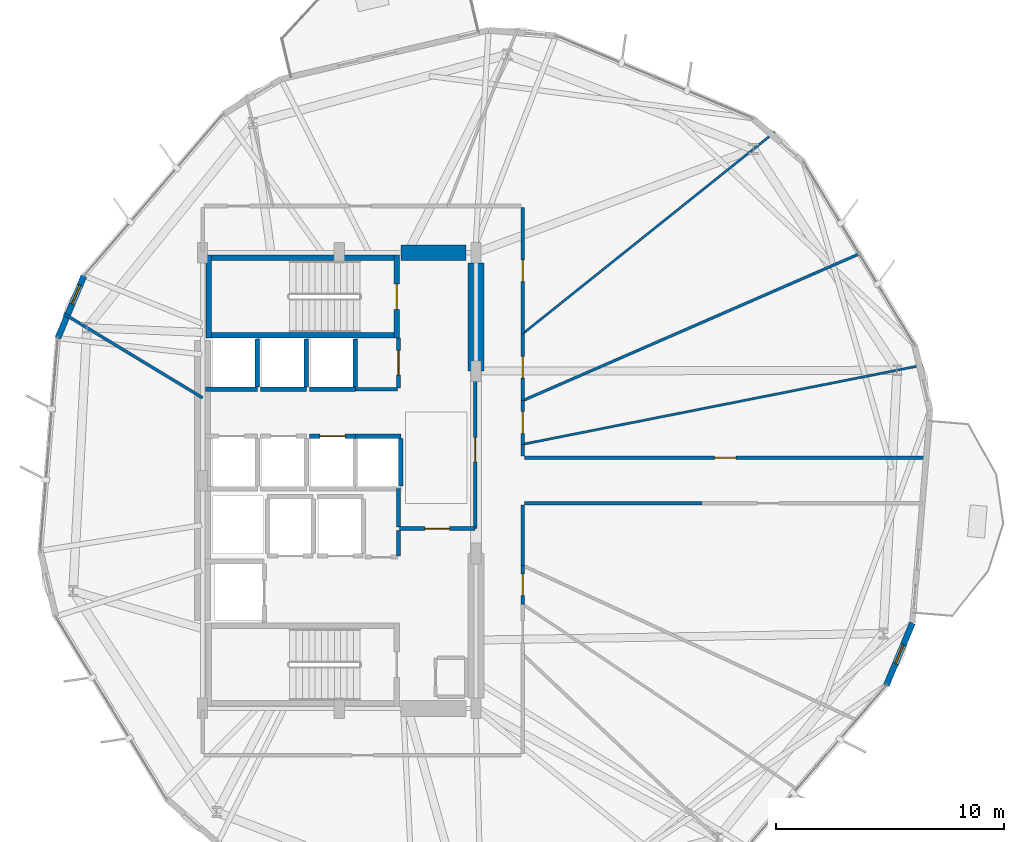
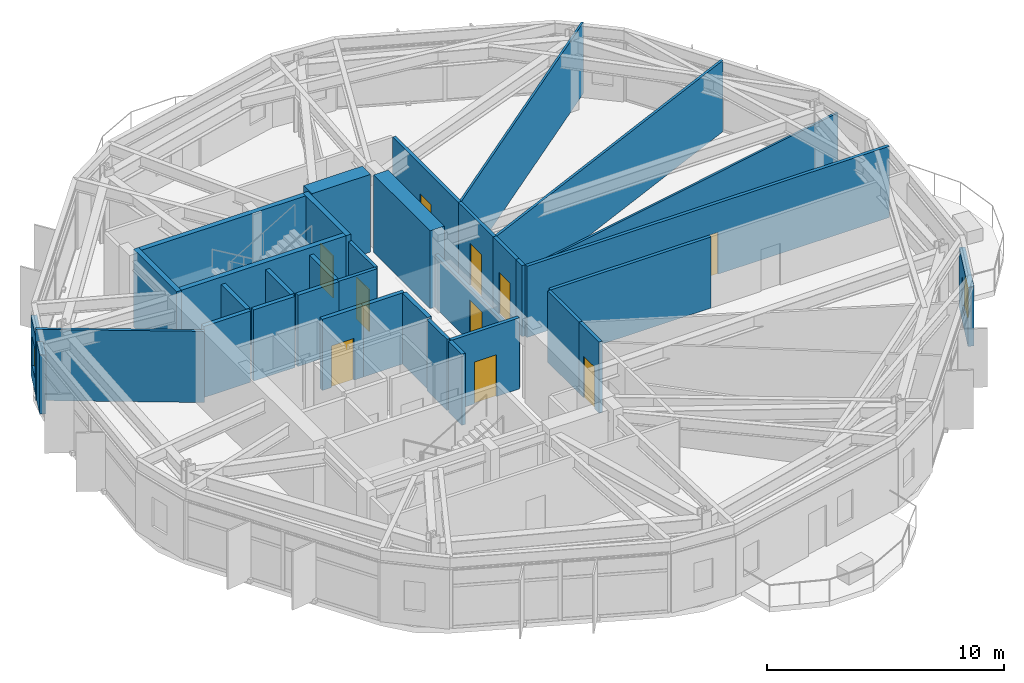
# One storey, part 17 of 21: 35 walls, 10 doors, 2 windows, 12 openings.
"""IFC4 building model written with IfcOpenShell, lengths in metres."""

from ifc_helpers import new_model, si_unit, direction, frame, frame_2d, origin, place, context, subcontext, project, spatial, rectangle, extrude, material, layer, layer_set, type_object, element, fill, save


model = new_model("IFC4")

# Units and contexts
model_context = context("Model", 3, precision=1e-05, world=origin(), true_north=direction((0.0, 1.0)))
body_context = subcontext(model_context, "Body", "Model", "MODEL_VIEW")
ifc_project = project(units=[si_unit("LENGTHUNIT", "METRE"), si_unit("AREAUNIT", "SQUARE_METRE"), si_unit("VOLUMEUNIT", "CUBIC_METRE"), si_unit("PLANEANGLEUNIT", "RADIAN"), si_unit("MASSUNIT", "GRAM", prefix="KILO")], contexts=[model_context])

# Site, building, storey
site_placement = place(None, origin())
site = spatial("IfcSite", under=ifc_project, at=site_placement, CompositionType="ELEMENT")
building_placement = place(site_placement, origin())
building = spatial("IfcBuilding", under=site, at=building_placement, Name="Soratama Intermodal Tower", CompositionType="ELEMENT")
storey_placement = place(building_placement, frame((0.0, 0.0, 78.60009765625)))
storey = spatial("IfcBuildingStorey", under=building, at=storey_placement, Name="L18", CompositionType="ELEMENT", Elevation=78.60009765625)

# Wall, opening, window
ifc_material_1 = material(Name="Concrete f'c 42 MPa", Category="concrete")
ifc_layer_1 = layer(ifc_material_1, 0.27001953125)
ifc_layer_set_1 = layer_set([ifc_layer_1], Name="Concrete f'c 42 MPa")
wall_type_1 = type_object("IfcWallType", Name="EW-CRN-270", PredefinedType="SOLIDWALL", material=ifc_layer_set_1)
wall_1_placement = place(storey_placement, frame((27.393310546875, 33.98779296875, 0.0), z_axis=(0.0, 0.0, 1.0), x_axis=(-0.386537026706, -0.922273889354, 0.0)))
wall_1 = element("IfcWall", 1, at=wall_1_placement, inside=storey, type_object=wall_type_1, Name="L18 Corner Closure Wall 04", PredefinedType="SOLIDWALL", context=body_context, shape_type="SweptSolid", body=[
    extrude(rectangle(XDim=2.966552734375, YDim=0.27001953125, at=frame_2d((1.4833984375, 0.0))), origin(), (0.0, 0.0, 1.0), 3.038818359375),
])
opening_1_placement = place(wall_1_placement, frame((0.449951171875, 0.0, 0.75)))
opening_1 = element("IfcOpeningElement", 2, at=opening_1_placement, cuts=wall_1, Name="Opening WN-6", PredefinedType="OPENING", context=body_context, shape_type="SweptSolid", body=[
    extrude(rectangle(XDim=0.89990234375, YDim=1.5, at=frame_2d((0.449951171875, 0.75))), frame((0.0, 0.14501953125, 0.0), z_axis=(0.0, -1.0, 0.0), x_axis=(1.0, 0.0, 0.0)), (0.0, 0.0, 1.0), 0.2900390625),
])
ifc_material_2 = material(Name="Double-glazed aluminium window", Category="aluminium")
window_type = type_object("IfcWindowType", Name="WN-FAC-900", PartitioningType="SINGLE_PANEL", PredefinedType="WINDOW", material=ifc_material_2)
window_1_placement = place(opening_1_placement, origin())
window_1 = element("IfcWindow", 3, at=window_1_placement, inside=storey, type_object=window_type, Name="L18 Corner Window 04", OverallHeight=1.5, OverallWidth=0.89990234375, PartitioningType="SINGLE_PANEL", PredefinedType="WINDOW", context=body_context, shape_type="SweptSolid", body=[
    extrude(rectangle(XDim=0.89990234375, YDim=1.5, at=frame_2d((0.449951171875, 0.75))), frame((0.0, 0.030029296875, 0.0), z_axis=(0.0, -1.0, 0.0), x_axis=(1.0, 0.0, 0.0)), (0.0, 0.0, 1.0), 0.06005859375),
])
fill(opening_1, window_1)

wall_2_placement = place(storey_placement, frame((62.606689453125, 16.01220703125, 0.0), z_axis=(0.0, 0.0, 1.0), x_axis=(0.386537026706, 0.922273889354, 0.0)))
wall_2 = element("IfcWall", 4, at=wall_2_placement, inside=storey, type_object=wall_type_1, Name="L18 Corner Closure Wall 09", PredefinedType="SOLIDWALL", context=body_context, shape_type="SweptSolid", body=[
    extrude(rectangle(XDim=2.966552734375, YDim=0.27001953125, at=frame_2d((1.4833984375, 0.0))), origin(), (0.0, 0.0, 1.0), 3.038818359375),
])
opening_2_placement = place(wall_2_placement, frame((1.033203125, 0.0, 0.75)))
opening_2 = element("IfcOpeningElement", 5, at=opening_2_placement, cuts=wall_2, Name="Opening WN-6", PredefinedType="OPENING", context=body_context, shape_type="SweptSolid", body=[
    extrude(rectangle(XDim=0.89990234375, YDim=1.5, at=frame_2d((0.449951171875, 0.75))), frame((0.0, 0.14501953125, 0.0), z_axis=(0.0, -1.0, 0.0), x_axis=(1.0, 0.0, 0.0)), (0.0, 0.0, 1.0), 0.2900390625),
])
window_2_placement = place(opening_2_placement, origin())
window_2 = element("IfcWindow", 6, at=window_2_placement, inside=storey, type_object=window_type, Name="L18 Corner Window 09", OverallHeight=1.5, OverallWidth=0.89990234375, PartitioningType="SINGLE_PANEL", PredefinedType="WINDOW", context=body_context, shape_type="SweptSolid", body=[
    extrude(rectangle(XDim=0.89990234375, YDim=1.5, at=frame_2d((0.449951171875, 0.75))), frame((0.0, 0.030029296875, 0.0), z_axis=(0.0, -1.0, 0.0), x_axis=(1.0, 0.0, 0.0)), (0.0, 0.0, 1.0), 0.06005859375),
])
fill(opening_2, window_2)

# Wall, opening, door
ifc_material_3 = material(Name="Fire-rated gypsum stud partition", Category="concrete")
ifc_layer_2 = layer(ifc_material_3, 0.159912109375)
ifc_layer_set_2 = layer_set([ifc_layer_2], Name="Fire-rated gypsum stud partition")
wall_type_2 = type_object("IfcWallType", Name="IW-PART-R160", PredefinedType="PARTITIONING", material=ifc_layer_set_2)
wall_3_placement = place(storey_placement, frame((46.719970703125, 26.0, 0.0), z_axis=(0.0, 0.0, 1.0), x_axis=(1.0, 0.0, 0.0)))
wall_3 = element("IfcWall", 7, at=wall_3_placement, inside=storey, type_object=wall_type_2, Name="L18 Partition W-L18-TP002", PredefinedType="PARTITIONING", context=body_context, shape_type="SweptSolid", body=[
    extrude(rectangle(XDim=17.635009765625, YDim=0.159912109375, at=frame_2d((8.8173828125, 0.0))), origin(), (0.0, 0.0, 1.0), 3.659912109375),
])
opening_3_placement = place(wall_3_placement, frame((8.343017578125, 0.0, 0.0)))
opening_3 = element("IfcOpeningElement", 8, at=opening_3_placement, cuts=wall_3, Name="Opening ID-3", PredefinedType="OPENING", context=body_context, shape_type="SweptSolid", body=[
    extrude(rectangle(XDim=0.949951171875, YDim=2.14990234375, at=frame_2d((0.47509765625, 1.074951171875))), frame((0.0, 0.08984375, 0.0), z_axis=(0.0, -1.0, 0.0), x_axis=(1.0, 0.0, 0.0)), (0.0, 0.0, 1.0), 0.179931640625),
])
ifc_material_4 = material(Name="Solid hardwood acoustic door", Category="wood")
door_type_1 = type_object("IfcDoorType", Name="DR-ROOM-950", OperationType="NOTDEFINED", PredefinedType="DOOR", material=ifc_material_4)
door_1_placement = place(opening_3_placement, origin())
door_1 = element("IfcDoor", 9, at=door_1_placement, inside=storey, type_object=door_type_1, Name="L18 Door D-L18-TP001", OperationType="SINGLE_SWING_RIGHT", OverallHeight=2.14990234375, OverallWidth=0.949951171875, PredefinedType="DOOR", context=body_context, shape_type="SweptSolid", body=[
    extrude(rectangle(XDim=0.949951171875, YDim=2.14990234375, at=frame_2d((0.47509765625, 1.074951171875))), frame((0.0, 0.02490234375, 0.0), z_axis=(0.0, -1.0, 0.0), x_axis=(1.0, 0.0, 0.0)), (0.0, 0.0, 1.0), 0.050048828125),
])
fill(opening_3, door_1)

# Wall
wall_4_placement = place(storey_placement, frame((54.51806640625, 24.0, 0.0), z_axis=(0.0, 0.0, 1.0), x_axis=(-1.0, 0.0, 0.0)))
element("IfcWall", 10, at=wall_4_placement, inside=storey, type_object=wall_type_2, Name="L18 Partition W-L18-TP011", PredefinedType="PARTITIONING", context=body_context, shape_type="SweptSolid", body=[
    extrude(rectangle(XDim=7.798095703125, YDim=0.159912109375, at=frame_2d((3.89892578125, 0.0))), origin(), (0.0, 0.0, 1.0), 3.659912109375),
])

# Wall, opening, door
wall_5_placement = place(storey_placement, frame((44.56005859375, 29.800048828125, 0.0), z_axis=(0.0, 0.0, 1.0), x_axis=(0.0, -1.0, 0.0)))
wall_5 = element("IfcWall", 11, at=wall_5_placement, inside=storey, type_object=wall_type_2, Name="L18 Partition W-L18-TP014", PredefinedType="PARTITIONING", context=body_context, shape_type="SweptSolid", body=[
    extrude(rectangle(XDim=6.91015625, YDim=0.159912109375, at=frame_2d((3.455078125, 0.0))), origin(), (0.0, 0.0, 1.0), 2.699951171875),
])
opening_4_placement = place(wall_5_placement, frame((2.9150390625, 0.0, 0.0)))
opening_4 = element("IfcOpeningElement", 12, at=opening_4_placement, cuts=wall_5, Name="Opening ID-1", PredefinedType="OPENING", context=body_context, shape_type="SweptSolid", body=[
    extrude(rectangle(XDim=1.080078125, YDim=2.14990234375, at=frame_2d((0.5400390625, 1.074951171875))), frame((0.0, 0.08984375, 0.0), z_axis=(0.0, -1.0, 0.0), x_axis=(1.0, 0.0, 0.0)), (0.0, 0.0, 1.0), 0.179931640625),
])
ifc_material_5 = material(Name="Solid hardwood acoustic door", Category="wood")
door_type_2 = type_object("IfcDoorType", Name="DR-LOB-FD60", OperationType="NOTDEFINED", PredefinedType="DOOR", material=ifc_material_5)
door_2_placement = place(opening_4_placement, origin())
door_2 = element("IfcDoor", 13, at=door_2_placement, inside=storey, type_object=door_type_2, Name="L18 Door D-L18-TP005", OperationType="SINGLE_SWING_RIGHT", OverallHeight=2.14990234375, OverallWidth=1.080078125, PredefinedType="DOOR", context=body_context, shape_type="SweptSolid", body=[
    extrude(rectangle(XDim=1.080078125, YDim=2.14990234375, at=frame_2d((0.5400390625, 1.074951171875))), frame((0.0, 0.02490234375, 0.0), z_axis=(0.0, -1.0, 0.0), x_axis=(1.0, 0.0, 0.0)), (0.0, 0.0, 1.0), 0.050048828125),
])
fill(opening_4, door_2)

wall_6_placement = place(storey_placement, frame((46.64990234375, 36.97998046875, 0.0), z_axis=(0.0, 0.0, 1.0), x_axis=(0.0, -1.0, 0.0)))
wall_6 = element("IfcWall", 14, at=wall_6_placement, inside=storey, type_object=wall_type_2, Name="L18 Partition W-L18-TP015", PredefinedType="PARTITIONING", context=body_context, shape_type="SweptSolid", body=[
    extrude(rectangle(XDim=5.5380859375, YDim=0.159912109375, at=frame_2d((2.76904296875, 0.0))), origin(), (0.0, 0.0, 1.0), 3.659912109375),
])
opening_5_placement = place(wall_6_placement, frame((2.2939453125, 0.0, 0.0)))
opening_5 = element("IfcOpeningElement", 15, at=opening_5_placement, cuts=wall_6, Name="Opening ID-3", PredefinedType="OPENING", context=body_context, shape_type="SweptSolid", body=[
    extrude(rectangle(XDim=0.949951171875, YDim=2.14990234375, at=frame_2d((0.47509765625, 1.074951171875))), frame((0.0, 0.08984375, 0.0), z_axis=(0.0, -1.0, 0.0), x_axis=(1.0, 0.0, 0.0)), (0.0, 0.0, 1.0), 0.179931640625),
])
door_3_placement = place(opening_5_placement, origin())
door_3 = element("IfcDoor", 16, at=door_3_placement, inside=storey, type_object=door_type_1, Name="L18 Door D-L18-TP006", OperationType="SINGLE_SWING_LEFT", OverallHeight=2.14990234375, OverallWidth=0.949951171875, PredefinedType="DOOR", context=body_context, shape_type="SweptSolid", body=[
    extrude(rectangle(XDim=0.949951171875, YDim=2.14990234375, at=frame_2d((0.47509765625, 1.074951171875))), frame((0.0, 0.02490234375, 0.0), z_axis=(0.0, -1.0, 0.0), x_axis=(1.0, 0.0, 0.0)), (0.0, 0.0, 1.0), 0.050048828125),
])
fill(opening_5, door_3)

wall_7_placement = place(storey_placement, frame((46.64990234375, 31.44189453125, 0.0), z_axis=(0.0, 0.0, 1.0), x_axis=(0.0, -1.0, 0.0)))
wall_7 = element("IfcWall", 17, at=wall_7_placement, inside=storey, type_object=wall_type_2, Name="L18 Partition W-L18-TP021", PredefinedType="PARTITIONING", context=body_context, shape_type="SweptSolid", body=[
    extrude(rectangle(XDim=2.932861328125, YDim=0.159912109375, at=frame_2d((1.46630859375, 0.0))), origin(), (0.0, 0.0, 1.0), 3.659912109375),
])
opening_6_placement = place(wall_7_placement, frame((0.990966796875, 0.0, 0.0)))
opening_6 = element("IfcOpeningElement", 18, at=opening_6_placement, cuts=wall_7, Name="Opening ID-3", PredefinedType="OPENING", context=body_context, shape_type="SweptSolid", body=[
    extrude(rectangle(XDim=0.949951171875, YDim=2.14990234375, at=frame_2d((0.47509765625, 1.074951171875))), frame((0.0, 0.08984375, 0.0), z_axis=(0.0, -1.0, 0.0), x_axis=(1.0, 0.0, 0.0)), (0.0, 0.0, 1.0), 0.179931640625),
])
door_4_placement = place(opening_6_placement, origin())
door_4 = element("IfcDoor", 19, at=door_4_placement, inside=storey, type_object=door_type_1, Name="L18 Door D-L18-TP009", OperationType="SINGLE_SWING_RIGHT", OverallHeight=2.14990234375, OverallWidth=0.949951171875, PredefinedType="DOOR", context=body_context, shape_type="SweptSolid", body=[
    extrude(rectangle(XDim=0.949951171875, YDim=2.14990234375, at=frame_2d((0.47509765625, 1.074951171875))), frame((0.0, 0.02490234375, 0.0), z_axis=(0.0, -1.0, 0.0), x_axis=(1.0, 0.0, 0.0)), (0.0, 0.0, 1.0), 0.050048828125),
])
fill(opening_6, door_4)

# Wall
wall_8_placement = place(storey_placement, frame((46.64990234375, 23.929931640625, 0.0), z_axis=(0.0, 0.0, 1.0), x_axis=(0.0, -1.0, 0.0)))
element("IfcWall", 20, at=wall_8_placement, inside=storey, type_object=wall_type_2, Name="L18 Partition W-L18-TP022", PredefinedType="PARTITIONING", context=body_context, shape_type="SweptSolid", body=[
    extrude(rectangle(XDim=2.656982421875, YDim=0.159912109375, at=frame_2d((1.32861328125, 0.0))), origin(), (0.0, 0.0, 1.0), 3.659912109375),
])

# Wall, opening, door
wall_9_placement = place(storey_placement, frame((41.199951171875, 29.070068359375, 0.0), z_axis=(0.0, 0.0, 1.0), x_axis=(0.0, 1.0, 0.0)))
wall_9 = element("IfcWall", 21, at=wall_9_placement, inside=storey, type_object=wall_type_2, Name="L18 Partition W-L18-TP023", PredefinedType="PARTITIONING", context=body_context, shape_type="SweptSolid", body=[
    extrude(rectangle(XDim=2.18994140625, YDim=0.159912109375, at=frame_2d((1.094970703125, 0.0))), origin(), (0.0, 0.0, 1.0), 3.659912109375),
])
opening_7_placement = place(wall_9_placement, frame((0.554931640625, 0.0, 0.0)))
opening_7 = element("IfcOpeningElement", 22, at=opening_7_placement, cuts=wall_9, Name="Opening ID-1", PredefinedType="OPENING", context=body_context, shape_type="SweptSolid", body=[
    extrude(rectangle(XDim=1.080078125, YDim=2.14990234375, at=frame_2d((0.5400390625, 1.074951171875))), frame((0.0, 0.08984375, 0.0), z_axis=(0.0, -1.0, 0.0), x_axis=(1.0, 0.0, 0.0)), (0.0, 0.0, 1.0), 0.179931640625),
])
door_5_placement = place(opening_7_placement, origin())
door_5 = element("IfcDoor", 23, at=door_5_placement, inside=storey, type_object=door_type_2, Name="L18 Door D-L18-TP010", OperationType="SINGLE_SWING_LEFT", OverallHeight=2.14990234375, OverallWidth=1.080078125, PredefinedType="DOOR", context=body_context, shape_type="SweptSolid", body=[
    extrude(rectangle(XDim=1.080078125, YDim=2.14990234375, at=frame_2d((0.5400390625, 1.074951171875))), frame((0.0, 0.02490234375, 0.0), z_axis=(0.0, -1.0, 0.0), x_axis=(1.0, 0.0, 0.0)), (0.0, 0.0, 1.0), 0.050048828125),
])
fill(opening_7, door_5)

wall_10_placement = place(storey_placement, frame((46.64990234375, 28.509033203125, 0.0), z_axis=(0.0, 0.0, 1.0), x_axis=(0.0, -1.0, 0.0)))
wall_10 = element("IfcWall", 24, at=wall_10_placement, inside=storey, type_object=wall_type_2, Name="L18 Partition W-L18-TP025", PredefinedType="PARTITIONING", context=body_context, shape_type="SweptSolid", body=[
    extrude(rectangle(XDim=1.916015625, YDim=0.159912109375, at=frame_2d((0.9580078125, 0.0))), origin(), (0.0, 0.0, 1.0), 3.659912109375),
])
opening_8_placement = place(wall_10_placement, frame((0.48291015625, 0.0, 0.0)))
opening_8 = element("IfcOpeningElement", 25, at=opening_8_placement, cuts=wall_10, Name="Opening ID-3", PredefinedType="OPENING", context=body_context, shape_type="SweptSolid", body=[
    extrude(rectangle(XDim=0.949951171875, YDim=2.14990234375, at=frame_2d((0.47509765625, 1.074951171875))), frame((0.0, 0.08984375, 0.0), z_axis=(0.0, -1.0, 0.0), x_axis=(1.0, 0.0, 0.0)), (0.0, 0.0, 1.0), 0.179931640625),
])
door_6_placement = place(opening_8_placement, origin())
door_6 = element("IfcDoor", 26, at=door_6_placement, inside=storey, type_object=door_type_1, Name="L18 Door D-L18-TP012", OperationType="SINGLE_SWING_LEFT", OverallHeight=2.14990234375, OverallWidth=0.949951171875, PredefinedType="DOOR", context=body_context, shape_type="SweptSolid", body=[
    extrude(rectangle(XDim=0.949951171875, YDim=2.14990234375, at=frame_2d((0.47509765625, 1.074951171875))), frame((0.0, 0.02490234375, 0.0), z_axis=(0.0, -1.0, 0.0), x_axis=(1.0, 0.0, 0.0)), (0.0, 0.0, 1.0), 0.050048828125),
])
fill(opening_8, door_6)

# Wall
wall_11_placement = place(storey_placement, frame((39.300048828125, 29.010009765625, 0.0), z_axis=(0.0, 0.0, 1.0), x_axis=(1.0, 0.0, 0.0)))
element("IfcWall", 27, at=wall_11_placement, inside=storey, type_object=wall_type_2, Name="L18 Partition W-L18-TP028", PredefinedType="PARTITIONING", context=body_context, shape_type="SweptSolid", body=[
    extrude(rectangle(XDim=1.85986328125, YDim=0.159912109375, at=frame_2d((0.929931640625, 0.0))), origin(), (0.0, 0.0, 1.0), 3.659912109375),
])

# Wall, opening, door
wall_12_placement = place(storey_placement, frame((46.64990234375, 21.27294921875, 0.0), z_axis=(0.0, 0.0, 1.0), x_axis=(0.0, -1.0, 0.0)))
wall_12 = element("IfcWall", 28, at=wall_12_placement, inside=storey, type_object=wall_type_2, Name="L18 Partition W-L18-TP029", PredefinedType="PARTITIONING", context=body_context, shape_type="SweptSolid", body=[
    extrude(rectangle(XDim=1.700927734375, YDim=0.159912109375, at=frame_2d((0.8505859375, 0.0))), origin(), (0.0, 0.0, 1.0), 3.659912109375),
])
opening_9_placement = place(wall_12_placement, frame((0.3759765625, 0.0, 0.0)))
opening_9 = element("IfcOpeningElement", 29, at=opening_9_placement, cuts=wall_12, Name="Opening ID-3", PredefinedType="OPENING", context=body_context, shape_type="SweptSolid", body=[
    extrude(rectangle(XDim=0.949951171875, YDim=2.14990234375, at=frame_2d((0.47509765625, 1.074951171875))), frame((0.0, 0.08984375, 0.0), z_axis=(0.0, -1.0, 0.0), x_axis=(1.0, 0.0, 0.0)), (0.0, 0.0, 1.0), 0.179931640625),
])
door_7_placement = place(opening_9_placement, origin())
door_7 = element("IfcDoor", 30, at=door_7_placement, inside=storey, type_object=door_type_1, Name="L18 Door D-L18-TP013", OperationType="SINGLE_SWING_RIGHT", OverallHeight=2.14990234375, OverallWidth=0.949951171875, PredefinedType="DOOR", context=body_context, shape_type="SweptSolid", body=[
    extrude(rectangle(XDim=0.949951171875, YDim=2.14990234375, at=frame_2d((0.47509765625, 1.074951171875))), frame((0.0, 0.02490234375, 0.0), z_axis=(0.0, -1.0, 0.0), x_axis=(1.0, 0.0, 0.0)), (0.0, 0.0, 1.0), 0.050048828125),
])
fill(opening_9, door_7)

# Walls
wall_13_placement = place(storey_placement, frame((41.199951171875, 22.9599609375, 0.0), z_axis=(0.0, 0.0, 1.0), x_axis=(0.0, 1.0, 0.0)))
element("IfcWall", 31, at=wall_13_placement, inside=storey, type_object=wall_type_2, Name="L18 Partition W-L18-TP030", PredefinedType="PARTITIONING", context=body_context, shape_type="SweptSolid", body=[
    extrude(rectangle(XDim=1.68994140625, YDim=0.159912109375, at=frame_2d((0.844970703125, 0.0))), origin(), (0.0, 0.0, 1.0), 3.659912109375),
])
wall_14_placement = place(storey_placement, frame((46.64990234375, 26.593017578125, 0.0), z_axis=(0.0, 0.0, 1.0), x_axis=(0.0, -1.0, 0.0)))
element("IfcWall", 32, at=wall_14_placement, inside=storey, type_object=wall_type_2, Name="L18 Partition W-L18-TP033", PredefinedType="PARTITIONING", context=body_context, shape_type="SweptSolid", body=[
    extrude(rectangle(XDim=0.52294921875, YDim=0.159912109375, at=frame_2d((0.261474609375, 0.0))), origin(), (0.0, 0.0, 1.0), 3.659912109375),
])

# Wall, opening, door
ifc_material_6 = material(Name="Fire-rated gypsum stud partition", Category="concrete")
ifc_layer_3 = layer(ifc_material_6, 0.169921875)
ifc_layer_set_3 = layer_set([ifc_layer_3], Name="Fire-rated gypsum stud partition")
wall_type_3 = type_object("IfcWallType", Name="IW-PART-R170", PredefinedType="PARTITIONING", material=ifc_layer_set_3)
wall_15_placement = place(storey_placement, frame((41.239990234375, 22.889892578125, 0.0), z_axis=(0.0, 0.0, 1.0), x_axis=(1.0, 0.0, 0.0)))
wall_15 = element("IfcWall", 33, at=wall_15_placement, inside=storey, type_object=wall_type_3, Name="L18 Partition W-L18-TP018", PredefinedType="PARTITIONING", context=body_context, shape_type="SweptSolid", body=[
    extrude(rectangle(XDim=3.320068359375, YDim=0.169921875, at=frame_2d((1.66015625, 0.0))), origin(), (0.0, 0.0, 1.0), 3.659912109375),
])
opening_10_placement = place(wall_15_placement, frame((1.1201171875, 0.0, 0.0)))
opening_10 = element("IfcOpeningElement", 34, at=opening_10_placement, cuts=wall_15, Name="Opening ID-0", PredefinedType="OPENING", context=body_context, shape_type="SweptSolid", body=[
    extrude(rectangle(XDim=1.080078125, YDim=2.14990234375, at=frame_2d((0.5400390625, 1.074951171875))), frame((0.0, 0.094970703125, 0.0), z_axis=(0.0, -1.0, 0.0), x_axis=(1.0, 0.0, 0.0)), (0.0, 0.0, 1.0), 0.18994140625),
])
ifc_material_7 = material(Name="Solid hardwood acoustic door", Category="wood")
door_type_3 = type_object("IfcDoorType", Name="DR-LOB-FD90", OperationType="NOTDEFINED", PredefinedType="DOOR", material=ifc_material_7)
door_8_placement = place(opening_10_placement, origin())
door_8 = element("IfcDoor", 35, at=door_8_placement, inside=storey, type_object=door_type_3, Name="L18 Door D-L18-TP007", OperationType="SINGLE_SWING_RIGHT", OverallHeight=2.14990234375, OverallWidth=1.080078125, PredefinedType="DOOR", context=body_context, shape_type="SweptSolid", body=[
    extrude(rectangle(XDim=1.080078125, YDim=2.14990234375, at=frame_2d((0.5400390625, 1.074951171875))), frame((0.0, 0.02490234375, 0.0), z_axis=(0.0, -1.0, 0.0), x_axis=(1.0, 0.0, 0.0)), (0.0, 0.0, 1.0), 0.050048828125),
])
fill(opening_10, door_8)

# Walls
wall_16_placement = place(storey_placement, frame((41.199951171875, 21.699951171875, 0.0), z_axis=(0.0, 0.0, 1.0), x_axis=(0.0, 1.0, 0.0)))
element("IfcWall", 36, at=wall_16_placement, inside=storey, type_object=wall_type_3, Name="L18 Partition W-L18-TP032", PredefinedType="PARTITIONING", context=body_context, shape_type="SweptSolid", body=[
    extrude(rectangle(XDim=1.1201171875, YDim=0.169921875, at=frame_2d((0.56005859375, 0.0))), origin(), (0.0, 0.0, 1.0), 3.659912109375),
])
ifc_material_8 = material(Name="Fire-rated gypsum stud partition", Category="concrete")
ifc_layer_4 = layer(ifc_material_8, 0.10009765625)
ifc_layer_set_4 = layer_set([ifc_layer_4], Name="Fire-rated gypsum stud partition")
wall_type_4 = type_object("IfcWallType", Name="IW-PART-S100", PredefinedType="PARTITIONING", material=ifc_layer_set_4)
wall_17_placement = place(storey_placement, frame((46.64990234375, 26.593017578125, 0.0), z_axis=(0.0, 0.0, 1.0), x_axis=(0.98097102079, 0.194154207707, 0.0)))
element("IfcWall", 37, at=wall_17_placement, inside=storey, type_object=wall_type_4, Name="L18 Partition W-L18-TP001", PredefinedType="PARTITIONING", context=body_context, shape_type="SweptSolid", body=[
    extrude(rectangle(XDim=17.903564453125, YDim=0.10009765625, at=frame_2d((8.95166015625, 0.0))), origin(), (0.0, 0.0, 1.0), 2.954833984375),
])
wall_18_placement = place(storey_placement, frame((46.64990234375, 31.44189453125, 0.0), z_axis=(0.0, 0.0, 1.0), x_axis=(0.780803279634, 0.62477695101, 0.0)))
element("IfcWall", 38, at=wall_18_placement, inside=storey, type_object=wall_type_4, Name="L18 Partition W-L18-TP006", PredefinedType="PARTITIONING", context=body_context, shape_type="SweptSolid", body=[
    extrude(rectangle(XDim=14.176513671875, YDim=0.10009765625, at=frame_2d((7.08837890625, 0.0))), origin(), (0.0, 0.0, 1.0), 3.659912109375),
])
ifc_material_9 = material(Name="Fire-rated gypsum stud partition", Category="concrete")
ifc_layer_5 = layer(ifc_material_9, 0.1201171875)
ifc_layer_set_5 = layer_set([ifc_layer_5], Name="Fire-rated gypsum stud partition")
wall_type_5 = type_object("IfcWallType", Name="IW-PART-S120", PredefinedType="PARTITIONING", material=ifc_layer_set_5)
wall_19_placement = place(storey_placement, frame((46.64990234375, 28.509033203125, 0.0), z_axis=(0.0, 0.0, 1.0), x_axis=(0.916650580897, 0.39968952018, 0.0)))
element("IfcWall", 39, at=wall_19_placement, inside=storey, type_object=wall_type_5, Name="L18 Partition W-L18-TP004", PredefinedType="PARTITIONING", context=body_context, shape_type="SweptSolid", body=[
    extrude(rectangle(XDim=16.11962890625, YDim=0.1201171875, at=frame_2d((8.059814453125, 0.0))), origin(), (0.0, 0.0, 1.0), 3.659912109375),
])
ifc_material_10 = material(Name="Fire-rated gypsum stud partition", Category="concrete")
ifc_layer_6 = layer(ifc_material_10, 0.1298828125)
ifc_layer_set_6 = layer_set([ifc_layer_6], Name="Fire-rated gypsum stud partition")
wall_type_6 = type_object("IfcWallType", Name="IW-PART-S130", PredefinedType="PARTITIONING", material=ifc_layer_set_6)
wall_20_placement = place(storey_placement, frame((32.60009765625, 28.634033203125, 0.0), z_axis=(0.0, 0.0, 1.0), x_axis=(-0.855395761356, 0.517974991147, 0.0)))
element("IfcWall", 40, at=wall_20_placement, inside=storey, type_object=wall_type_6, Name="L18 Partition W-L18-TP013", PredefinedType="PARTITIONING", context=body_context, shape_type="SweptSolid", body=[
    extrude(rectangle(XDim=7.121826171875, YDim=0.1298828125, at=frame_2d((3.56103515625, 0.0))), origin(), (0.0, 0.0, 1.0), 3.659912109375),
])

# Wall, opening, door
ifc_material_11 = material(Name="Concrete f'c 42 MPa", Category="concrete")
ifc_layer_7 = layer(ifc_material_11, 0.199951171875)
ifc_layer_set_7 = layer_set([ifc_layer_7], Name="Concrete f'c 42 MPa")
wall_type_7 = type_object("IfcWallType", Name="IW-SHAFT-200", PredefinedType="SOLIDWALL", material=ifc_layer_set_7)
wall_21_placement = place(storey_placement, frame((37.300048828125, 26.949951171875, 0.0), z_axis=(0.0, 0.0, 1.0), x_axis=(1.0, 0.0, 0.0)))
wall_21 = element("IfcWall", 41, at=wall_21_placement, inside=storey, type_object=wall_type_7, Name="L18 PL-L3 Hoistway Wall N", PredefinedType="SOLIDWALL", context=body_context, shape_type="SweptSolid", body=[
    extrude(rectangle(XDim=2.0, YDim=0.199951171875, at=frame_2d((1.0, 0.0))), origin(), (0.0, 0.0, 1.0), 3.659912109375),
])
opening_11_placement = place(wall_21_placement, frame((0.449951171875, 0.0, 0.0)))
opening_11 = element("IfcOpeningElement", 42, at=opening_11_placement, cuts=wall_21, Name="Opening LD-1", PredefinedType="OPENING", context=body_context, shape_type="SweptSolid", body=[
    extrude(rectangle(XDim=1.10009765625, YDim=2.14990234375, at=frame_2d((0.550048828125, 1.074951171875))), frame((0.0, 0.10986328125, 0.0), z_axis=(0.0, -1.0, 0.0), x_axis=(1.0, 0.0, 0.0)), (0.0, 0.0, 1.0), 0.219970703125),
])
ifc_material_12 = material(Name="Steel fire door", Category="steel")
door_type_4 = type_object("IfcDoorType", Name="DR-LIFT-SLIDE", OperationType="NOTDEFINED", PredefinedType="DOOR", material=ifc_material_12)
door_9_placement = place(opening_11_placement, origin())
door_9 = element("IfcDoor", 43, at=door_9_placement, inside=storey, type_object=door_type_4, Name="L18 PL-L3 Sliding Landing Door", OperationType="SLIDING_TO_LEFT", OverallHeight=2.14990234375, OverallWidth=1.10009765625, PredefinedType="DOOR", context=body_context, shape_type="SweptSolid", body=[
    extrude(rectangle(XDim=1.10009765625, YDim=2.14990234375, at=frame_2d((0.550048828125, 1.074951171875))), frame((0.0, 0.02490234375, 0.0), z_axis=(0.0, -1.0, 0.0), x_axis=(1.0, 0.0, 0.0)), (0.0, 0.0, 1.0), 0.050048828125),
])
fill(opening_11, door_9)

# Walls
wall_22_placement = place(storey_placement, frame((39.300048828125, 26.949951171875, 0.0), z_axis=(0.0, 0.0, 1.0), x_axis=(1.0, 0.0, 0.0)))
element("IfcWall", 44, at=wall_22_placement, inside=storey, type_object=wall_type_7, Name="L18 PL-M1 Hoistway Wall N", PredefinedType="SOLIDWALL", context=body_context, shape_type="SweptSolid", body=[
    extrude(rectangle(XDim=2.0, YDim=0.199951171875, at=frame_2d((1.0, 0.0))), origin(), (0.0, 0.0, 1.0), 3.659912109375),
])
wall_23_placement = place(storey_placement, frame((41.300048828125, 24.760009765625, 0.0), z_axis=(0.0, 0.0, 1.0), x_axis=(0.0, 1.0, 0.0)))
element("IfcWall", 45, at=wall_23_placement, inside=storey, type_object=wall_type_7, Name="L18 PL-M1 Hoistway Wall E", PredefinedType="SOLIDWALL", context=body_context, shape_type="SweptSolid", body=[
    extrude(rectangle(XDim=2.080078125, YDim=0.199951171875, at=frame_2d((1.0400390625, 0.0))), origin(), (0.0, 0.0, 1.0), 3.659912109375),
])
wall_24_placement = place(storey_placement, frame((32.719970703125, 29.0, 0.0), z_axis=(0.0, 0.0, 1.0), x_axis=(1.0, 0.0, 0.0)))
element("IfcWall", 46, at=wall_24_placement, inside=storey, type_object=wall_type_7, Name="L18 PL-M2 Hoistway Wall S", PredefinedType="SOLIDWALL", context=body_context, shape_type="SweptSolid", body=[
    extrude(rectangle(XDim=2.280029296875, YDim=0.199951171875, at=frame_2d((1.14013671875, 0.0))), origin(), (0.0, 0.0, 1.0), 3.659912109375),
])
wall_25_placement = place(storey_placement, frame((35.0, 29.110107421875, 0.0), z_axis=(0.0, 0.0, 1.0), x_axis=(0.0, 1.0, 0.0)))
element("IfcWall", 47, at=wall_25_placement, inside=storey, type_object=wall_type_7, Name="L18 PL-M2 Hoistway Wall E", PredefinedType="SOLIDWALL", context=body_context, shape_type="SweptSolid", body=[
    extrude(rectangle(XDim=2.099853515625, YDim=0.199951171875, at=frame_2d((1.0498046875, 0.0))), origin(), (0.0, 0.0, 1.0), 3.659912109375),
])
wall_26_placement = place(storey_placement, frame((35.14990234375, 29.0, 0.0), z_axis=(0.0, 0.0, 1.0), x_axis=(1.0, 0.0, 0.0)))
element("IfcWall", 48, at=wall_26_placement, inside=storey, type_object=wall_type_7, Name="L18 PL-H1 Hoistway Wall S", PredefinedType="SOLIDWALL", context=body_context, shape_type="SweptSolid", body=[
    extrude(rectangle(XDim=2.0, YDim=0.199951171875, at=frame_2d((1.0, 0.0))), origin(), (0.0, 0.0, 1.0), 3.659912109375),
])
wall_27_placement = place(storey_placement, frame((37.14990234375, 29.110107421875, 0.0), z_axis=(0.0, 0.0, 1.0), x_axis=(0.0, 1.0, 0.0)))
element("IfcWall", 49, at=wall_27_placement, inside=storey, type_object=wall_type_7, Name="L18 PL-H1 Hoistway Wall E", PredefinedType="SOLIDWALL", context=body_context, shape_type="SweptSolid", body=[
    extrude(rectangle(XDim=2.099853515625, YDim=0.199951171875, at=frame_2d((1.0498046875, 0.0))), origin(), (0.0, 0.0, 1.0), 3.659912109375),
])
wall_28_placement = place(storey_placement, frame((37.300048828125, 29.0, 0.0), z_axis=(0.0, 0.0, 1.0), x_axis=(1.0, 0.0, 0.0)))
element("IfcWall", 50, at=wall_28_placement, inside=storey, type_object=wall_type_7, Name="L18 PL-H2 Hoistway Wall S", PredefinedType="SOLIDWALL", context=body_context, shape_type="SweptSolid", body=[
    extrude(rectangle(XDim=2.0, YDim=0.199951171875, at=frame_2d((1.0, 0.0))), origin(), (0.0, 0.0, 1.0), 3.659912109375),
])
wall_29_placement = place(storey_placement, frame((39.300048828125, 29.110107421875, 0.0), z_axis=(0.0, 0.0, 1.0), x_axis=(0.0, 1.0, 0.0)))
element("IfcWall", 51, at=wall_29_placement, inside=storey, type_object=wall_type_7, Name="L18 PL-H2 Hoistway Wall E", PredefinedType="SOLIDWALL", context=body_context, shape_type="SweptSolid", body=[
    extrude(rectangle(XDim=2.099853515625, YDim=0.199951171875, at=frame_2d((1.0498046875, 0.0))), origin(), (0.0, 0.0, 1.0), 3.659912109375),
])
ifc_material_13 = material(Name="Concrete f'c 56 MPa", Category="concrete")
ifc_layer_8 = layer(ifc_material_13, 0.699951171875)
ifc_layer_set_8 = layer_set([ifc_layer_8], Name="Concrete f'c 56 MPa")
wall_type_8 = type_object("IfcWallType", Name="SW-CORE-700", PredefinedType="SHEAR", material=ifc_layer_set_8)
wall_30_placement = place(storey_placement, frame((41.300048828125, 35.0, 0.0), z_axis=(0.0, 0.0, 1.0), x_axis=(1.0, 0.0, 0.0)))
element("IfcWall", 52, at=wall_30_placement, inside=storey, type_object=wall_type_8, Name="L18 Core Shear Wall CW-NE", PredefinedType="SHEAR", context=body_context, shape_type="SweptSolid", body=[
    extrude(rectangle(XDim=2.849853515625, YDim=0.699951171875, at=frame_2d((1.4248046875, 0.0))), origin(), (0.0, 0.0, 1.0), 4.0),
])
wall_31_placement = place(storey_placement, frame((44.60009765625, 29.800048828125, 0.0), z_axis=(0.0, 0.0, 1.0), x_axis=(0.0, 1.0, 0.0)))
element("IfcWall", 53, at=wall_31_placement, inside=storey, type_object=wall_type_8, Name="L18 Core Shear Wall CW-EN", PredefinedType="SHEAR", context=body_context, shape_type="SweptSolid", body=[
    extrude(rectangle(XDim=4.75, YDim=0.699951171875, at=frame_2d((2.375, 0.0))), origin(), (0.0, 0.0, 1.0), 4.0),
])
ifc_material_14 = material(Name="Concrete f'c 56 MPa", Category="concrete")
ifc_layer_9 = layer(ifc_material_14, 0.239990234375)
ifc_layer_set_9 = layer_set([ifc_layer_9], Name="Concrete f'c 56 MPa")
wall_type_9 = type_object("IfcWallType", Name="SW-STAIR-240", PredefinedType="SHEAR", material=ifc_layer_set_9)
wall_32_placement = place(storey_placement, frame((32.8798828125, 31.260009765625, 0.0), z_axis=(0.0, 0.0, 1.0), x_axis=(0.0, 1.0, 0.0)))
element("IfcWall", 54, at=wall_32_placement, inside=storey, type_object=wall_type_9, Name="L18 ST-2 Shaft Shear Wall W", PredefinedType="SHEAR", context=body_context, shape_type="SweptSolid", body=[
    extrude(rectangle(XDim=3.6298828125, YDim=0.239990234375, at=frame_2d((1.81494140625, 0.0))), origin(), (0.0, 0.0, 1.0), 4.0),
])

# Wall, opening, door
wall_33_placement = place(storey_placement, frame((41.1201171875, 31.260009765625, 0.0), z_axis=(0.0, 0.0, 1.0), x_axis=(0.0, 1.0, 0.0)))
wall_33 = element("IfcWall", 55, at=wall_33_placement, inside=storey, type_object=wall_type_9, Name="L18 ST-2 Shaft Shear Wall E", PredefinedType="SHEAR", context=body_context, shape_type="SweptSolid", body=[
    extrude(rectangle(XDim=3.6298828125, YDim=0.239990234375, at=frame_2d((1.81494140625, 0.0))), origin(), (0.0, 0.0, 1.0), 4.0),
])
opening_12_placement = place(wall_33_placement, frame((1.2548828125, 0.0, 0.0)))
opening_12 = element("IfcOpeningElement", 56, at=opening_12_placement, cuts=wall_33, Name="Opening SD-1", PredefinedType="OPENING", context=body_context, shape_type="SweptSolid", body=[
    extrude(rectangle(XDim=1.1201171875, YDim=2.14990234375, at=frame_2d((0.56005859375, 1.074951171875))), frame((0.0, 0.1298828125, 0.0), z_axis=(0.0, -1.0, 0.0), x_axis=(1.0, 0.0, 0.0)), (0.0, 0.0, 1.0), 0.260009765625),
])
ifc_material_15 = material(Name="Steel fire door", Category="steel")
door_type_5 = type_object("IfcDoorType", Name="DR-STAIR-FD90", OperationType="NOTDEFINED", PredefinedType="DOOR", material=ifc_material_15)
door_10_placement = place(opening_12_placement, origin())
door_10 = element("IfcDoor", 57, at=door_10_placement, inside=storey, type_object=door_type_5, Name="L18 ST-2 Exit Stair Door", OperationType="SINGLE_SWING_RIGHT", OverallHeight=2.14990234375, OverallWidth=1.1201171875, PredefinedType="DOOR", context=body_context, shape_type="SweptSolid", body=[
    extrude(rectangle(XDim=1.1201171875, YDim=2.14990234375, at=frame_2d((0.56005859375, 1.074951171875))), frame((0.0, 0.02490234375, 0.0), z_axis=(0.0, -1.0, 0.0), x_axis=(1.0, 0.0, 0.0)), (0.0, 0.0, 1.0), 0.050048828125),
])
fill(opening_12, door_10)

# Walls
for number, where, z_axis, x_axis, name in (
    (58, (33.0, 31.3798828125, 0.0), (0.0, 0.0, 1.0), (1.0, 0.0, 0.0), "L18 ST-2 Shaft Shear Wall S"),
    (59, (33.0, 34.77001953125, 0.0), (0.0, 0.0, 1.0), (1.0, 0.0, 0.0), "L18 ST-2 Shaft Shear Wall N"),
):
    element("IfcWall", number, at=place(storey_placement, frame(where, z_axis=z_axis, x_axis=x_axis)), inside=storey, type_object=wall_type_9, Name=name, PredefinedType="SHEAR", context=body_context, shape_type="SweptSolid", body=[
        extrude(rectangle(XDim=8.0, YDim=0.239990234375, at=frame_2d((4.0, 0.0))), origin(), (0.0, 0.0, 1.0), 4.0),
    ])

save(model, "model.ifc")
